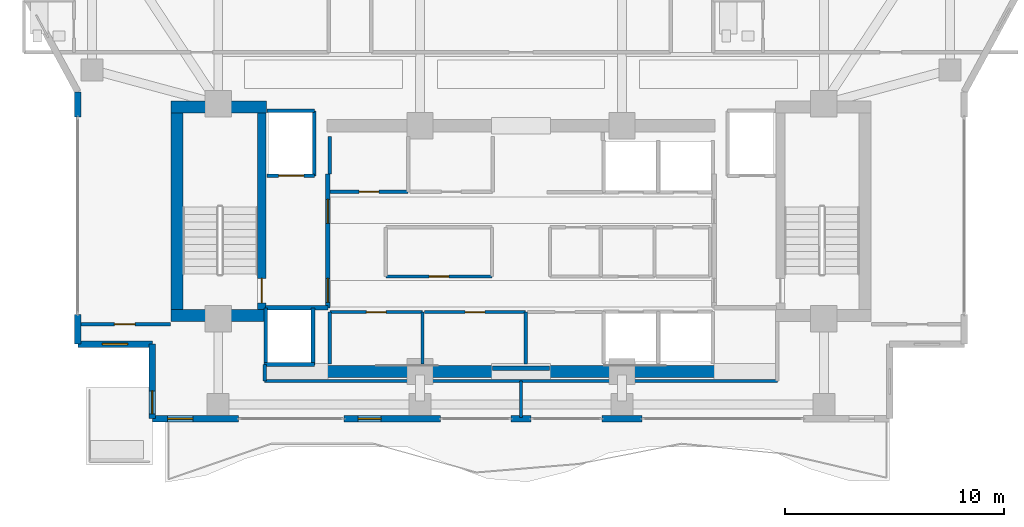
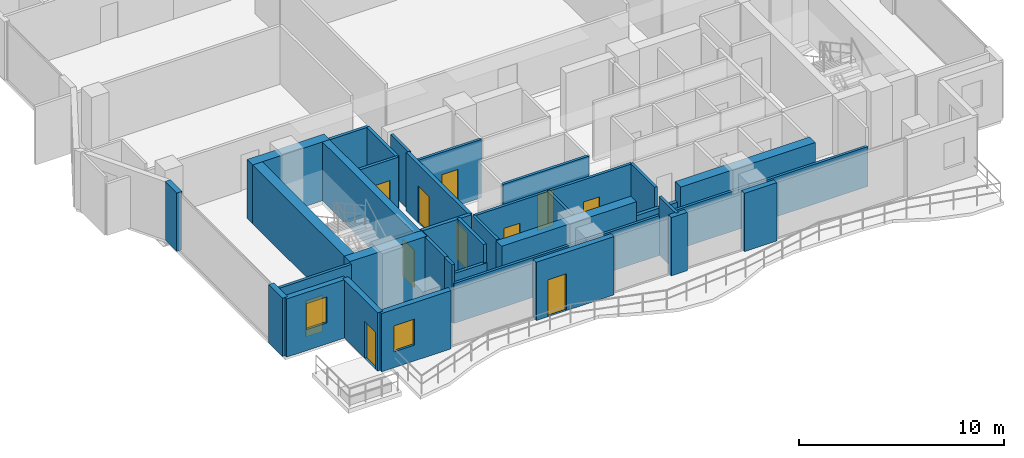
# One storey, part 20 of 28: 36 walls, 11 doors, 2 windows, 13 openings.
"""IFC4 building model written with IfcOpenShell, lengths in metres."""

import ifcopenshell
import ifcopenshell.guid

model = None  # the IFC model being written
_history = None  # IfcOwnerHistory: only IFC2X3 demands one
_inside = {}  # id of a spatial element -> (the spatial element, [elements in it])
_under = {}  # id of a project, library or spatial element -> (it, [spatial elements below it])
_declared = {}  # id of a project -> (the project, [libraries it declares])
_typed = {}  # id of a type object -> (the type object, [elements of that type])
_made_of = {}  # id of a material, layer set ... -> (it, [elements and type objects made of it])


def new_model(schema):
    """Start an empty IFC model of exactly this schema.

    Asked for "IFC4X3", IfcOpenShell would pick the latest addendum, in which some entities
    have other attributes; the version numbers below select the first issue.
    IFC2X3 requires an IfcOwnerHistory on every rooted entity: one is made here for all.
    """
    global model, _history
    if schema == "IFC4X3":
        model = ifcopenshell.file(schema_version=(4, 3, 0, 0))
    else:
        model = ifcopenshell.file(schema=schema)
    _inside.clear()
    _under.clear()
    _declared.clear()
    _typed.clear()
    _made_of.clear()
    _history = None
    if model.schema == "IFC2X3":
        org = make("IfcOrganization", Name="unknown")
        user = make(
            "IfcPersonAndOrganization",
            ThePerson=make("IfcPerson", FamilyName="unknown"),
            TheOrganization=org,
        )
        app = make(
            "IfcApplication",
            ApplicationDeveloper=org,
            Version="unknown",
            ApplicationFullName="unknown",
            ApplicationIdentifier="unknown",
        )
        _history = make(
            "IfcOwnerHistory",
            OwningUser=user,
            OwningApplication=app,
            ChangeAction="ADDED",
            CreationDate=0,
        )
    return model


def make(cls, **values):
    """One entity of the class cls with the attributes given. An attribute that is None is left unset."""
    return model.create_entity(
        cls, **{name: value for name, value in values.items() if value is not None}
    )


def rooted(cls, **values):
    """An entity with a GlobalId (a new one), such as an element, a storey or a relation."""
    return make(cls, GlobalId=ifcopenshell.guid.new(), OwnerHistory=_history, **values)


def si_unit(unit_type, name, prefix=None):
    """IfcSIUnit, for example si_unit("LENGTHUNIT", "METRE", prefix="MILLI")."""
    return make("IfcSIUnit", UnitType=unit_type, Prefix=prefix, Name=name)


def assignment(units):
    """IfcUnitAssignment: the units of a project."""
    return None if units is None else make("IfcUnitAssignment", Units=units)


def point(xyz):
    """IfcCartesianPoint."""
    return None if xyz is None else make("IfcCartesianPoint", Coordinates=xyz)


def direction(xyz):
    """IfcDirection."""
    return None if xyz is None else make("IfcDirection", DirectionRatios=xyz)


def frame(location, z_axis=None, x_axis=None):
    """IfcAxis2Placement3D, a coordinate frame: its origin and axes. An axis left out is left unset."""
    return make(
        "IfcAxis2Placement3D",
        Location=point(location),
        Axis=direction(z_axis),
        RefDirection=direction(x_axis),
    )


def frame_2d(location, x_axis=None):
    """IfcAxis2Placement2D, a coordinate frame in the plane: its origin and x axis."""
    return make(
        "IfcAxis2Placement2D", Location=point(location), RefDirection=direction(x_axis)
    )


def origin():
    """The frame at (0, 0, 0) with its axes left unset."""
    return frame((0.0, 0.0, 0.0))


def place(relative_to, where):
    """IfcLocalPlacement: puts the frame where relative to a parent placement (None: the world)."""
    return make(
        "IfcLocalPlacement", PlacementRelTo=relative_to, RelativePlacement=where
    )


def context(
    kind, dimensions, precision=None, world=None, true_north=None, identifier=None
):
    """IfcGeometricRepresentationContext, for example the 3D "Model" context."""
    return make(
        "IfcGeometricRepresentationContext",
        ContextIdentifier=identifier,
        ContextType=kind,
        CoordinateSpaceDimension=dimensions,
        Precision=precision,
        WorldCoordinateSystem=world,
        TrueNorth=true_north,
    )


def subcontext(parent, identifier, kind, view, scale=None):
    """IfcGeometricRepresentationSubContext, for example "Body" below "Model"."""
    return make(
        "IfcGeometricRepresentationSubContext",
        ContextIdentifier=identifier,
        ContextType=kind,
        ParentContext=parent,
        TargetScale=scale,
        TargetView=view,
    )


def project(units=None, contexts=None):
    """IfcProject with its units and contexts."""
    return rooted(
        "IfcProject",
        Name="project",
        RepresentationContexts=contexts,
        UnitsInContext=assignment(units),
    )


def spatial(cls, under=None, at=None, **own):
    """A site, building, storey or space (cls), placed at a placement, below another one or the project."""
    s = rooted(cls, ObjectPlacement=at, **own)
    if under is not None:
        _under.setdefault(under.id(), (under, []))[1].append(s)
    return s


def profile(cls, at=None, kind="AREA", **sizes):
    """A parametric profile (cls). Its sizes go by their IFC names, for example OverallWidth=200.0."""
    return make(cls, ProfileType=kind, Position=at, **sizes)


def rectangle(**sizes):
    """IfcRectangleProfileDef."""
    return profile("IfcRectangleProfileDef", **sizes)


def extrude(swept, where, along, depth):
    """IfcExtrudedAreaSolid: the profile swept, set in the frame where, extruded along a direction by depth."""
    return make(
        "IfcExtrudedAreaSolid",
        SweptArea=swept,
        Position=where,
        ExtrudedDirection=direction(along),
        Depth=depth,
    )


def shape(context_of_items, identifier, shape_type, items):
    """IfcShapeRepresentation: the items that make up one representation, for example the "Body"."""
    return make(
        "IfcShapeRepresentation",
        ContextOfItems=context_of_items,
        RepresentationIdentifier=identifier,
        RepresentationType=shape_type,
        Items=items,
    )


def material(Name=None, Category=None):
    """IfcMaterial."""
    return make("IfcMaterial", Name=Name, Category=Category)


def layer(
    of_material, thickness, ventilated=None, Name=None, Category=None, Priority=None
):
    """IfcMaterialLayer: one layer of a wall or slab, of a material (None: an air gap)."""
    return make(
        "IfcMaterialLayer",
        Material=of_material,
        LayerThickness=thickness,
        IsVentilated=ventilated,
        Name=Name,
        Category=Category,
        Priority=Priority,
    )


def layer_set(layers, Name=None):
    """IfcMaterialLayerSet."""
    return make("IfcMaterialLayerSet", MaterialLayers=layers, LayerSetName=Name)


def made_of(thing, what):
    """Note that an element or type object is made of a material, layer set ...; save() writes the relation."""
    if what is not None:
        _made_of.setdefault(what.id(), (what, []))[1].append(thing)
    return thing


def type_object(cls, material=None, **own):
    """A type object (cls), such as IfcWallType, which elements share."""
    return made_of(rooted(cls, **own), material)


def element(
    cls,
    number,
    at=None,
    inside=None,
    cuts=None,
    type_object=None,
    material=None,
    context=None,
    identifier="Body",
    shape_type=None,
    held_by="IfcProductDefinitionShape",
    body=None,
    shapes=None,
    **own,
):
    """One element of the class cls, such as IfcWall. Its Tag is "e" and its number.

    at: its placement. inside: the storey or other place that contains it. cuts: it is an
    opening in that element (IfcRelVoidsElement). A single representation is given by context,
    identifier, shape_type and body (its items); several are given by shapes. held_by: the class
    of the entity that holds the representations. save() writes the other relations.
    """
    e = rooted(cls, Tag="e%d" % number, ObjectPlacement=at, **own)
    if body is not None:
        shapes = [shape(context, identifier, shape_type, body)]
    if shapes is not None:
        e.Representation = make(held_by, Representations=shapes)
    if inside is not None:
        _inside.setdefault(inside.id(), (inside, []))[1].append(e)
    if cuts is not None:
        rooted(
            "IfcRelVoidsElement", RelatingBuildingElement=cuts, RelatedOpeningElement=e
        )
    if type_object is not None:
        _typed.setdefault(type_object.id(), (type_object, []))[1].append(e)
    return made_of(e, material)


def fill(opening, filler):
    """IfcRelFillsElement: the door or window that sits in an opening."""
    return rooted(
        "IfcRelFillsElement",
        RelatingOpeningElement=opening,
        RelatedBuildingElement=filler,
    )


def aggregate(whole, parts):
    """IfcRelAggregates: a whole, such as a stair, and the parts it consists of."""
    return rooted("IfcRelAggregates", RelatingObject=whole, RelatedObjects=parts)


def save(model, path):
    """Write the relations noted so far, then the file.

    IfcRelAggregates (storeys below a building ...), IfcRelContainedInSpatialStructure (elements
    in a storey), IfcRelDefinesByType, IfcRelAssociatesMaterial and IfcRelDeclares: one each for
    every whole, place, type object, material and project.
    """
    for whole, parts in _under.values():
        aggregate(whole, parts)
    for where, things in _inside.values():
        rooted(
            "IfcRelContainedInSpatialStructure",
            RelatedElements=things,
            RelatingStructure=where,
        )
    for kind, things in _typed.values():
        rooted("IfcRelDefinesByType", RelatedObjects=things, RelatingType=kind)
    for what, things in _made_of.values():
        rooted("IfcRelAssociatesMaterial", RelatedObjects=things, RelatingMaterial=what)
    for by, libraries in _declared.values():
        rooted("IfcRelDeclares", RelatingContext=by, RelatedDefinitions=libraries)
    model.write(path)


model = new_model("IFC4")

# Units and contexts
model_context = context("Model", 3, precision=1e-05, world=origin(), true_north=direction((0.0, 1.0)))
body_context = subcontext(model_context, "Body", "Model", "MODEL_VIEW")
ifc_project = project(units=[si_unit("LENGTHUNIT", "METRE"), si_unit("AREAUNIT", "SQUARE_METRE"), si_unit("VOLUMEUNIT", "CUBIC_METRE"), si_unit("PLANEANGLEUNIT", "RADIAN"), si_unit("MASSUNIT", "GRAM", prefix="KILO")], contexts=[model_context])

# Site, building, storey
site_placement = place(None, origin())
site = spatial("IfcSite", under=ifc_project, at=site_placement, CompositionType="ELEMENT")
building_placement = place(site_placement, origin())
building = spatial("IfcBuilding", under=site, at=building_placement, Name="Zuhayl Quay Hotel", CompositionType="ELEMENT")
storey_placement = place(building_placement, frame((0.0, 0.0, 239.64990234375)))
storey = spatial("IfcBuildingStorey", under=building, at=storey_placement, Name="L60", CompositionType="ELEMENT", Elevation=239.64990234375)

# Walls
ifc_material_1 = material(Name="Concrete C50/60", Category="concrete")
ifc_layer_1 = layer(ifc_material_1, 0.550048828125, Name="Concrete C50/60", Category="concrete")
ifc_layer_set_1 = layer_set([ifc_layer_1], Name="Concrete C50/60")
wall_type_1 = type_object("IfcWallType", Name="WL_CORE_550", PredefinedType="SHEAR", material=ifc_layer_set_1)
wall_1_placement = place(storey_placement, frame((-15.9599609375, 14.205078125, 0.0), z_axis=(0.0, 0.0, 1.0), x_axis=(1.0, 0.0, 0.0)))
element("IfcWall", 1, at=wall_1_placement, inside=storey, type_object=wall_type_1, Name="L60 Core Shear Wall CW_NW", PredefinedType="SHEAR", context=body_context, shape_type="SweptSolid", body=[
    extrude(rectangle(XDim=4.35986328125, YDim=0.550048828125, at=frame_2d((2.179931640625, 0.0))), origin(), (0.0, 0.0, 1.0), 3.510009765625),
])
wall_2_placement = place(storey_placement, frame((-15.68505859375, 4.969970703125, 0.0), z_axis=(0.0, 0.0, 1.0), x_axis=(0.0, 1.0, 0.0)))
element("IfcWall", 2, at=wall_2_placement, inside=storey, type_object=wall_type_1, Name="L60 Core Shear Wall CW_W", PredefinedType="SHEAR", context=body_context, shape_type="SweptSolid", body=[
    extrude(rectangle(XDim=8.9599609375, YDim=0.550048828125, at=frame_2d((4.47998046875, 0.0))), origin(), (0.0, 0.0, 1.0), 3.510009765625),
])
wall_3_placement = place(storey_placement, frame((-15.9599609375, 4.695068359375, 0.0), z_axis=(0.0, 0.0, 1.0), x_axis=(1.0, 0.0, 0.0)))
element("IfcWall", 3, at=wall_3_placement, inside=storey, type_object=wall_type_1, Name="L60 Core Shear Wall CW_SW", PredefinedType="SHEAR", context=body_context, shape_type="SweptSolid", body=[
    extrude(rectangle(XDim=4.35986328125, YDim=0.550048828125, at=frame_2d((2.179931640625, 0.0))), origin(), (0.0, 0.0, 1.0), 3.510009765625),
])
for number, where, z_axis, x_axis, name in (
    (4, (-8.85009765625, 2.14990234375, 0.0), (0.0, 0.0, 1.0), (1.0, 0.0, 0.0), "L60 Core Shear Wall CW_SC_W"),
    (5, (1.25, 2.14990234375, 0.0), (0.0, 0.0, 1.0), (1.0, 0.0, 0.0), "L60 Core Shear Wall CW_SC_E"),
):
    element("IfcWall", number, at=place(storey_placement, frame(where, z_axis=z_axis, x_axis=x_axis)), inside=storey, type_object=wall_type_1, Name=name, PredefinedType="SHEAR", context=body_context, shape_type="SweptSolid", body=[
        extrude(rectangle(XDim=7.60009765625, YDim=0.550048828125, at=frame_2d((3.800048828125, 0.0))), origin(), (0.0, 0.0, 1.0), 3.47998046875),
    ])

# Wall, opening, window
ifc_material_2 = material(Name="Precast concrete C45/55", Category="concrete")
ifc_layer_2 = layer(ifc_material_2, 0.300048828125, Name="Precast concrete C45/55", Category="concrete")
ifc_layer_set_2 = layer_set([ifc_layer_2], Name="Precast concrete C45/55")
wall_type_2 = type_object("IfcWallType", Name="WL_EXT_300", PredefinedType="STANDARD", material=ifc_layer_set_2)
wall_4_placement = place(storey_placement, frame((-16.800048828125, 3.39990234375, 0.0), z_axis=(0.0, 0.0, 1.0), x_axis=(-1.0, 0.0, 0.0)))
wall_4 = element("IfcWall", 6, at=wall_4_placement, inside=storey, type_object=wall_type_2, Name="L60 Exterior Precast Wall ENV_L60_EW01", PredefinedType="STANDARD", context=body_context, shape_type="SweptSolid", body=[
    extrude(rectangle(XDim=3.39990234375, YDim=0.300048828125, at=frame_2d((1.699951171875, 0.0))), origin(), (0.0, 0.0, 1.0), 3.47998046875),
])
opening_1_placement = place(wall_4_placement, frame((1.125, 0.0, 1.25)))
opening_1 = element("IfcOpeningElement", 7, at=opening_1_placement, cuts=wall_4, Name="Opening W01N", PredefinedType="OPENING", context=body_context, shape_type="SweptSolid", body=[
    extrude(rectangle(XDim=1.14990234375, YDim=1.550048828125, at=frame_2d((0.574951171875, 0.77490234375))), frame((0.0, 0.159912109375, 0.0), z_axis=(0.0, -1.0, 0.0), x_axis=(1.0, 0.0, 0.0)), (0.0, 0.0, 1.0), 0.320068359375),
])
ifc_material_3 = material(Name="Dark Ceramic-Fritted Solar Glass", Category="glass")
window_type = type_object("IfcWindowType", Name="WN_NOTCH_1350", PartitioningType="SINGLE_PANEL", PredefinedType="WINDOW", material=ifc_material_3)
window_1_placement = place(opening_1_placement, origin())
window_1 = element("IfcWindow", 8, at=window_1_placement, inside=storey, type_object=window_type, Name="L60 Corner Notch Window 1", OverallHeight=1.550048828125, OverallWidth=1.14990234375, PartitioningType="SINGLE_PANEL", PredefinedType="WINDOW", context=body_context, shape_type="SweptSolid", body=[
    extrude(rectangle(XDim=1.14990234375, YDim=1.550048828125, at=frame_2d((0.574951171875, 0.77490234375))), frame((0.0, 0.030029296875, 0.0), z_axis=(0.0, -1.0, 0.0), x_axis=(1.0, 0.0, 0.0)), (0.0, 0.0, 1.0), 0.06005859375),
])
fill(opening_1, window_1)

# Walls
wall_5_placement = place(storey_placement, frame((-20.199951171875, 3.39990234375, 0.0), z_axis=(0.0, 0.0, 1.0), x_axis=(0.0, 1.0, 0.0)))
element("IfcWall", 9, at=wall_5_placement, inside=storey, type_object=wall_type_2, Name="L60 Exterior Precast Wall ENV_L60_E02_EW1", PredefinedType="STANDARD", context=body_context, shape_type="SweptSolid", body=[
    extrude(rectangle(XDim=1.35009765625, YDim=0.300048828125, at=frame_2d((0.675048828125, 0.0))), origin(), (0.0, 0.0, 1.0), 3.47998046875),
])
wall_6_placement = place(storey_placement, frame((-20.199951171875, 13.75, 0.0), z_axis=(0.0, 0.0, 1.0), x_axis=(0.0, 1.0, 0.0)))
element("IfcWall", 10, at=wall_6_placement, inside=storey, type_object=wall_type_2, Name="L60 Exterior Precast Wall ENV_L60_E02_EW2", PredefinedType="STANDARD", context=body_context, shape_type="SweptSolid", body=[
    extrude(rectangle(XDim=1.14990234375, YDim=0.300048828125, at=frame_2d((0.574951171875, 0.0))), origin(), (0.0, 0.0, 1.0), 3.47998046875),
])
wall_7_placement = place(storey_placement, frame((5.52001953125, 0.0, 0.0), z_axis=(0.0, 0.0, 1.0), x_axis=(-1.0, 0.0, 0.0)))
element("IfcWall", 11, at=wall_7_placement, inside=storey, type_object=wall_type_2, Name="L60 Exterior Precast Wall ENV_L60_S_EW2", PredefinedType="STANDARD", context=body_context, shape_type="SweptSolid", body=[
    extrude(rectangle(XDim=1.840087890625, YDim=0.300048828125, at=frame_2d((0.919921875, 0.0))), origin(), (0.0, 0.0, 1.0), 3.47998046875),
])
wall_8_placement = place(storey_placement, frame((0.449951171875, 0.0, 0.0), z_axis=(0.0, 0.0, 1.0), x_axis=(-1.0, 0.0, 0.0)))
element("IfcWall", 12, at=wall_8_placement, inside=storey, type_object=wall_type_2, Name="L60 Exterior Precast Wall ENV_L60_S_EW3", PredefinedType="STANDARD", context=body_context, shape_type="SweptSolid", body=[
    extrude(rectangle(XDim=0.89990234375, YDim=0.300048828125, at=frame_2d((0.449951171875, 0.0))), origin(), (0.0, 0.0, 1.0), 3.47998046875),
])

# Wall, opening, door
wall_9_placement = place(storey_placement, frame((-3.679931640625, 0.0, 0.0), z_axis=(0.0, 0.0, 1.0), x_axis=(-1.0, 0.0, 0.0)))
wall_9 = element("IfcWall", 13, at=wall_9_placement, inside=storey, type_object=wall_type_2, Name="L60 Exterior Precast Wall ENV_L60_S_EW4", PredefinedType="STANDARD", context=body_context, shape_type="SweptSolid", body=[
    extrude(rectangle(XDim=4.39501953125, YDim=0.300048828125, at=frame_2d((2.197509765625, 0.0))), origin(), (0.0, 0.0, 1.0), 3.47998046875),
])
opening_2_placement = place(wall_9_placement, frame((2.695068359375, 0.0, 0.0)))
opening_2 = element("IfcOpeningElement", 14, at=opening_2_placement, cuts=wall_9, Name="Opening DG1", PredefinedType="OPENING", context=body_context, shape_type="SweptSolid", body=[
    extrude(rectangle(XDim=1.050048828125, YDim=2.199951171875, at=frame_2d((0.52490234375, 1.10009765625))), frame((0.0, 0.159912109375, 0.0), z_axis=(0.0, -1.0, 0.0), x_axis=(1.0, 0.0, 0.0)), (0.0, 0.0, 1.0), 0.320068359375),
])
ifc_material_4 = material(Name="Anodised Aluminium and Dark Solar Glass", Category="aluminium")
door_type_1 = type_object("IfcDoorType", Name="DR_EXT_TERR_1050", OperationType="NOTDEFINED", PredefinedType="DOOR", material=ifc_material_4)
door_1_placement = place(opening_2_placement, origin())
door_1 = element("IfcDoor", 15, at=door_1_placement, inside=storey, type_object=door_type_1, Name="L60 South Rippling Balcony Door", OperationType="SINGLE_SWING_RIGHT", OverallHeight=2.199951171875, OverallWidth=1.050048828125, PredefinedType="DOOR", context=body_context, shape_type="SweptSolid", body=[
    extrude(rectangle(XDim=1.050048828125, YDim=2.199951171875, at=frame_2d((0.52490234375, 1.10009765625))), frame((0.0, 0.02490234375, 0.0), z_axis=(0.0, -1.0, 0.0), x_axis=(1.0, 0.0, 0.0)), (0.0, 0.0, 1.0), 0.050048828125),
])
fill(opening_2, door_1)

# Wall, opening, window
wall_10_placement = place(storey_placement, frame((-12.8798828125, 0.0, 0.0), z_axis=(0.0, 0.0, 1.0), x_axis=(-1.0, 0.0, 0.0)))
wall_10 = element("IfcWall", 16, at=wall_10_placement, inside=storey, type_object=wall_type_2, Name="L60 Exterior Precast Wall ENV_L60_S_EW5", PredefinedType="STANDARD", context=body_context, shape_type="SweptSolid", body=[
    extrude(rectangle(XDim=3.920166015625, YDim=0.300048828125, at=frame_2d((1.9599609375, 0.0))), origin(), (0.0, 0.0, 1.0), 3.47998046875),
])
opening_3_placement = place(wall_10_placement, frame((2.074951171875, 0.0, 0.949951171875)))
opening_3 = element("IfcOpeningElement", 17, at=opening_3_placement, cuts=wall_10, Name="Opening W01N", PredefinedType="OPENING", context=body_context, shape_type="SweptSolid", body=[
    extrude(rectangle(XDim=1.14990234375, YDim=1.550048828125, at=frame_2d((0.574951171875, 0.77490234375))), frame((0.0, 0.159912109375, 0.0), z_axis=(0.0, -1.0, 0.0), x_axis=(1.0, 0.0, 0.0)), (0.0, 0.0, 1.0), 0.320068359375),
])
window_2_placement = place(opening_3_placement, origin())
window_2 = element("IfcWindow", 18, at=window_2_placement, inside=storey, type_object=window_type, Name="L60 Operable Facade Window 5-1", OverallHeight=1.550048828125, OverallWidth=1.14990234375, PartitioningType="SINGLE_PANEL", PredefinedType="WINDOW", context=body_context, shape_type="SweptSolid", body=[
    extrude(rectangle(XDim=1.14990234375, YDim=1.550048828125, at=frame_2d((0.574951171875, 0.77490234375))), frame((0.0, 0.030029296875, 0.0), z_axis=(0.0, -1.0, 0.0), x_axis=(1.0, 0.0, 0.0)), (0.0, 0.0, 1.0), 0.06005859375),
])
fill(opening_3, window_2)

# Wall, opening, door
wall_11_placement = place(storey_placement, frame((-16.800048828125, 0.0, 0.0), z_axis=(0.0, 0.0, 1.0), x_axis=(0.0, 1.0, 0.0)))
wall_11 = element("IfcWall", 19, at=wall_11_placement, inside=storey, type_object=wall_type_2, Name="L60 Exterior Precast Wall ENV_L60_SP_SW", PredefinedType="STANDARD", context=body_context, shape_type="SweptSolid", body=[
    extrude(rectangle(XDim=3.39990234375, YDim=0.300048828125, at=frame_2d((1.699951171875, 0.0))), origin(), (0.0, 0.0, 1.0), 3.47998046875),
])
opening_4_placement = place(wall_11_placement, frame((0.219970703125, 0.0, 0.0)))
opening_4 = element("IfcOpeningElement", 20, at=opening_4_placement, cuts=wall_11, Name="Opening DG1", PredefinedType="OPENING", context=body_context, shape_type="SweptSolid", body=[
    extrude(rectangle(XDim=1.050048828125, YDim=2.199951171875, at=frame_2d((0.52490234375, 1.10009765625))), frame((0.0, 0.159912109375, 0.0), z_axis=(0.0, -1.0, 0.0), x_axis=(1.0, 0.0, 0.0)), (0.0, 0.0, 1.0), 0.320068359375),
])
door_2_placement = place(opening_4_placement, origin())
door_2 = element("IfcDoor", 21, at=door_2_placement, inside=storey, type_object=door_type_1, Name="L60 Spiral Sky-Terrace SW Access Door", OperationType="SINGLE_SWING_LEFT", OverallHeight=2.199951171875, OverallWidth=1.050048828125, PredefinedType="DOOR", context=body_context, shape_type="SweptSolid", body=[
    extrude(rectangle(XDim=1.050048828125, YDim=2.199951171875, at=frame_2d((0.52490234375, 1.10009765625))), frame((0.0, 0.02490234375, 0.0), z_axis=(0.0, -1.0, 0.0), x_axis=(1.0, 0.0, 0.0)), (0.0, 0.0, 1.0), 0.050048828125),
])
fill(opening_4, door_2)

ifc_material_5 = material(Name="Acoustic Gypsum Partition STC-58")
ifc_layer_3 = layer(ifc_material_5, 0.14990234375, Name="Acoustic Gypsum Partition STC-58")
ifc_layer_set_3 = layer_set([ifc_layer_3], Name="Acoustic Gypsum Partition STC-58")
wall_type_3 = type_object("IfcWallType", Name="WL_PART_150", PredefinedType="PARTITIONING", material=ifc_layer_set_3)
wall_12_placement = place(storey_placement, frame((-8.7099609375, 4.860107421875, 0.0), z_axis=(0.0, 0.0, 1.0), x_axis=(1.0, 0.0, 0.0)))
wall_12 = element("IfcWall", 22, at=wall_12_placement, inside=storey, type_object=wall_type_3, Name="L60 Partition IW_L60_FMP_S1_N", PredefinedType="PARTITIONING", context=body_context, shape_type="SweptSolid", body=[
    extrude(rectangle(XDim=4.219970703125, YDim=0.14990234375, at=frame_2d((2.10986328125, 0.0))), origin(), (0.0, 0.0, 1.0), 3.47998046875),
])
opening_5_placement = place(wall_12_placement, frame((1.659912109375, 0.0, 0.0)))
opening_5 = element("IfcOpeningElement", 23, at=opening_5_placement, cuts=wall_12, Name="Opening D06", PredefinedType="OPENING", context=body_context, shape_type="SweptSolid", body=[
    extrude(rectangle(XDim=0.89990234375, YDim=2.14990234375, at=frame_2d((0.449951171875, 1.074951171875))), frame((0.0, 0.0849609375, 0.0), z_axis=(0.0, -1.0, 0.0), x_axis=(1.0, 0.0, 0.0)), (0.0, 0.0, 1.0), 0.169921875),
])
ifc_material_6 = material(Name="Steel ASTM A992 Grade 50", Category="steel")
door_type_2 = type_object("IfcDoorType", Name="DR_INT_900", OperationType="NOTDEFINED", PredefinedType="DOOR", material=ifc_material_6)
door_3_placement = place(opening_5_placement, origin())
door_3 = element("IfcDoor", 24, at=door_3_placement, inside=storey, type_object=door_type_2, Name="L60 Silverware Pantry Door", OperationType="SINGLE_SWING_RIGHT", OverallHeight=2.14990234375, OverallWidth=0.89990234375, PredefinedType="DOOR", context=body_context, shape_type="SweptSolid", body=[
    extrude(rectangle(XDim=0.89990234375, YDim=2.14990234375, at=frame_2d((0.449951171875, 1.074951171875))), frame((0.0, 0.02490234375, 0.0), z_axis=(0.0, -1.0, 0.0), x_axis=(1.0, 0.0, 0.0)), (0.0, 0.0, 1.0), 0.050048828125),
])
fill(opening_5, door_3)

wall_13_placement = place(storey_placement, frame((-4.409912109375, 4.860107421875, 0.0), z_axis=(0.0, 0.0, 1.0), x_axis=(1.0, 0.0, 0.0)))
wall_13 = element("IfcWall", 25, at=wall_13_placement, inside=storey, type_object=wall_type_3, Name="L60 Partition IW_L60_FMP_S2_N", PredefinedType="PARTITIONING", context=body_context, shape_type="SweptSolid", body=[
    extrude(rectangle(XDim=4.619873046875, YDim=0.14990234375, at=frame_2d((2.31005859375, 0.0))), origin(), (0.0, 0.0, 1.0), 3.47998046875),
])
opening_6_placement = place(wall_13_placement, frame((1.860107421875, 0.0, 0.0)))
opening_6 = element("IfcOpeningElement", 26, at=opening_6_placement, cuts=wall_13, Name="Opening D06", PredefinedType="OPENING", context=body_context, shape_type="SweptSolid", body=[
    extrude(rectangle(XDim=0.89990234375, YDim=2.14990234375, at=frame_2d((0.449951171875, 1.074951171875))), frame((0.0, 0.0849609375, 0.0), z_axis=(0.0, -1.0, 0.0), x_axis=(1.0, 0.0, 0.0)), (0.0, 0.0, 1.0), 0.169921875),
])
door_4_placement = place(opening_6_placement, origin())
door_4 = element("IfcDoor", 27, at=door_4_placement, inside=storey, type_object=door_type_2, Name="L60 Crystal Store Door", OperationType="SINGLE_SWING_LEFT", OverallHeight=2.14990234375, OverallWidth=0.89990234375, PredefinedType="DOOR", context=body_context, shape_type="SweptSolid", body=[
    extrude(rectangle(XDim=0.89990234375, YDim=2.14990234375, at=frame_2d((0.449951171875, 1.074951171875))), frame((0.0, 0.02490234375, 0.0), z_axis=(0.0, -1.0, 0.0), x_axis=(1.0, 0.0, 0.0)), (0.0, 0.0, 1.0), 0.050048828125),
])
fill(opening_6, door_4)

wall_14_placement = place(storey_placement, frame((-8.7099609375, 10.340087890625, 0.0), z_axis=(0.0, 0.0, 1.0), x_axis=(1.0, 0.0, 0.0)))
wall_14 = element("IfcWall", 28, at=wall_14_placement, inside=storey, type_object=wall_type_3, Name="L60 Partition IW_L60_FMP_N1_S", PredefinedType="PARTITIONING", context=body_context, shape_type="SweptSolid", body=[
    extrude(rectangle(XDim=3.570068359375, YDim=0.14990234375, at=frame_2d((1.78515625, 0.0))), origin(), (0.0, 0.0, 1.0), 3.47998046875),
])
opening_7_placement = place(wall_14_placement, frame((1.3349609375, 0.0, 0.0)))
opening_7 = element("IfcOpeningElement", 29, at=opening_7_placement, cuts=wall_14, Name="Opening D06", PredefinedType="OPENING", context=body_context, shape_type="SweptSolid", body=[
    extrude(rectangle(XDim=0.89990234375, YDim=2.14990234375, at=frame_2d((0.449951171875, 1.074951171875))), frame((0.0, 0.0849609375, 0.0), z_axis=(0.0, -1.0, 0.0), x_axis=(1.0, 0.0, 0.0)), (0.0, 0.0, 1.0), 0.169921875),
])
door_5_placement = place(opening_7_placement, origin())
door_5 = element("IfcDoor", 30, at=door_5_placement, inside=storey, type_object=door_type_2, Name="L60 West Valet Bay Door", OperationType="SINGLE_SWING_LEFT", OverallHeight=2.14990234375, OverallWidth=0.89990234375, PredefinedType="DOOR", context=body_context, shape_type="SweptSolid", body=[
    extrude(rectangle(XDim=0.89990234375, YDim=2.14990234375, at=frame_2d((0.449951171875, 1.074951171875))), frame((0.0, 0.02490234375, 0.0), z_axis=(0.0, -1.0, 0.0), x_axis=(1.0, 0.0, 0.0)), (0.0, 0.0, 1.0), 0.050048828125),
])
fill(opening_7, door_5)

wall_15_placement = place(storey_placement, frame((-6.159912109375, 6.47998046875, 0.0), z_axis=(0.0, 0.0, 1.0), x_axis=(1.0, 0.0, 0.0)))
wall_15 = element("IfcWall", 31, at=wall_15_placement, inside=storey, type_object=wall_type_3, Name="L60 Partition IW_L60_CORE_SV_S", PredefinedType="PARTITIONING", context=body_context, shape_type="SweptSolid", body=[
    extrude(rectangle(XDim=4.83984375, YDim=0.14990234375, at=frame_2d((2.419921875, 0.0))), origin(), (0.0, 0.0, 1.0), 3.47998046875),
])
opening_8_placement = place(wall_15_placement, frame((1.969970703125, 0.0, 0.0)))
opening_8 = element("IfcOpeningElement", 32, at=opening_8_placement, cuts=wall_15, Name="Opening D06", PredefinedType="OPENING", context=body_context, shape_type="SweptSolid", body=[
    extrude(rectangle(XDim=0.89990234375, YDim=2.14990234375, at=frame_2d((0.449951171875, 1.074951171875))), frame((0.0, 0.0849609375, 0.0), z_axis=(0.0, -1.0, 0.0), x_axis=(1.0, 0.0, 0.0)), (0.0, 0.0, 1.0), 0.169921875),
])
door_6_placement = place(opening_8_placement, origin())
door_6 = element("IfcDoor", 33, at=door_6_placement, inside=storey, type_object=door_type_2, Name="L60 Core Ice and Linen Store Door", OperationType="SINGLE_SWING_LEFT", OverallHeight=2.14990234375, OverallWidth=0.89990234375, PredefinedType="DOOR", context=body_context, shape_type="SweptSolid", body=[
    extrude(rectangle(XDim=0.89990234375, YDim=2.14990234375, at=frame_2d((0.449951171875, 1.074951171875))), frame((0.0, 0.02490234375, 0.0), z_axis=(0.0, -1.0, 0.0), x_axis=(1.0, 0.0, 0.0)), (0.0, 0.0, 1.0), 0.050048828125),
])
fill(opening_8, door_6)

# Walls
for number, where, z_axis, x_axis, name in (
    (34, (-8.7099609375, 2.489990234375, 0.0), (0.0, 0.0, 1.0), (0.0, 1.0, 0.0), "L60 Partition IW_L60_FMP_S1_W"),
    (35, (-4.489990234375, 2.489990234375, 0.0), (0.0, 0.0, 1.0), (0.0, 1.0, 0.0), "L60 Partition IW_L60_FMP_S1_E"),
    (36, (0.2099609375, 2.489990234375, 0.0), (0.0, 0.0, 1.0), (0.0, 1.0, 0.0), "L60 Partition IW_L60_FMP_S2_E"),
):
    element("IfcWall", number, at=place(storey_placement, frame(where, z_axis=z_axis, x_axis=x_axis)), inside=storey, type_object=wall_type_3, Name=name, PredefinedType="PARTITIONING", context=body_context, shape_type="SweptSolid", body=[
        extrude(rectangle(XDim=2.3701171875, YDim=0.14990234375, at=frame_2d((1.18505859375, 0.0))), origin(), (0.0, 0.0, 1.0), 3.47998046875),
    ])
wall_16_placement = place(storey_placement, frame((-8.7099609375, 11.14990234375, 0.0), z_axis=(0.0, 0.0, 1.0), x_axis=(0.0, 1.0, 0.0)))
element("IfcWall", 37, at=wall_16_placement, inside=storey, type_object=wall_type_3, Name="L60 Partition IW_L60_FMP_N1_W", PredefinedType="PARTITIONING", context=body_context, shape_type="SweptSolid", body=[
    extrude(rectangle(XDim=1.710205078125, YDim=0.14990234375, at=frame_2d((0.85498046875, 0.0))), origin(), (0.0, 0.0, 1.0), 3.47998046875),
])
wall_17_placement = place(storey_placement, frame((-11.679931640625, 1.719970703125, 0.0), z_axis=(0.0, 0.0, 1.0), x_axis=(0.0, 1.0, 0.0)))
element("IfcWall", 38, at=wall_17_placement, inside=storey, type_object=wall_type_3, Name="L60 Partition IW_L60_Z4_SUN_SW_IN", PredefinedType="PARTITIONING", context=body_context, shape_type="SweptSolid", body=[
    extrude(rectangle(XDim=0.75, YDim=0.14990234375, at=frame_2d((0.375, 0.0))), origin(), (0.0, 0.0, 1.0), 3.47998046875),
])
for number, where, z_axis, x_axis, name in (
    (39, (-11.679931640625, 1.719970703125, 0.0), (0.0, 0.0, 1.0), (1.0, 0.0, 0.0), "L60 Partition IW_L60_Z4_SUN_SW_SN"),
    (40, (0.0, 1.719970703125, 0.0), (0.0, 0.0, 1.0), (1.0, 0.0, 0.0), "L60 Partition IW_L60_Z4_SUN_SE_SN"),
):
    element("IfcWall", number, at=place(storey_placement, frame(where, z_axis=z_axis, x_axis=x_axis)), inside=storey, type_object=wall_type_3, Name=name, PredefinedType="PARTITIONING", context=body_context, shape_type="SweptSolid", body=[
        extrude(rectangle(XDim=11.679931640625, YDim=0.14990234375, at=frame_2d((5.83984375, 0.0))), origin(), (0.0, 0.0, 1.0), 2.380126953125),
    ])
wall_18_placement = place(storey_placement, frame((0.0, 0.06005859375, 0.0), z_axis=(0.0, 0.0, 1.0), x_axis=(0.0, 1.0, 0.0)))
element("IfcWall", 41, at=wall_18_placement, inside=storey, type_object=wall_type_3, Name="L60 Partition IW_L60_Z4_SUN_MID", PredefinedType="PARTITIONING", context=body_context, shape_type="SweptSolid", body=[
    extrude(rectangle(XDim=1.659912109375, YDim=0.14990234375, at=frame_2d((0.830078125, 0.0))), origin(), (0.0, 0.0, 1.0), 3.47998046875),
])

# Wall, opening, door
ifc_layer_4 = layer(ifc_material_5, 0.159912109375, Name="Acoustic Gypsum Partition STC-58")
ifc_layer_set_4 = layer_set([ifc_layer_4], Name="Acoustic Gypsum Partition STC-58")
wall_type_4 = type_object("IfcWallType", Name="WL_PART_CORR_160", PredefinedType="PARTITIONING", material=ifc_layer_set_4)
wall_19_placement = place(storey_placement, frame((-20.139892578125, 4.300048828125, 0.0), z_axis=(0.0, 0.0, 1.0), x_axis=(1.0, 0.0, 0.0)))
wall_19 = element("IfcWall", 42, at=wall_19_placement, inside=storey, type_object=wall_type_4, Name="L60 Partition IW_L60_Z4_SUN_SW_N", PredefinedType="PARTITIONING", context=body_context, shape_type="SweptSolid", body=[
    extrude(rectangle(XDim=4.159912109375, YDim=0.159912109375, at=frame_2d((2.080078125, 0.0))), origin(), (0.0, 0.0, 1.0), 3.47998046875),
])
opening_9_placement = place(wall_19_placement, frame((1.60498046875, 0.0, 0.0)))
opening_9 = element("IfcOpeningElement", 43, at=opening_9_placement, cuts=wall_19, Name="Opening D03", PredefinedType="OPENING", context=body_context, shape_type="SweptSolid", body=[
    extrude(rectangle(XDim=0.949951171875, YDim=2.14990234375, at=frame_2d((0.47509765625, 1.074951171875))), frame((0.0, 0.08984375, 0.0), z_axis=(0.0, -1.0, 0.0), x_axis=(1.0, 0.0, 0.0)), (0.0, 0.0, 1.0), 0.179931640625),
])
ifc_material_7 = material(Name="Solid Walnut Acoustic Fire Door")
door_type_3 = type_object("IfcDoorType", Name="DR_SUITE_950", OperationType="NOTDEFINED", PredefinedType="DOOR", material=ifc_material_7)
door_7_placement = place(opening_9_placement, origin())
door_7 = element("IfcDoor", 44, at=door_7_placement, inside=storey, type_object=door_type_3, Name="L60 Sunset Salon SW Door", OperationType="SINGLE_SWING_LEFT", OverallHeight=2.14990234375, OverallWidth=0.949951171875, PredefinedType="DOOR", context=body_context, shape_type="SweptSolid", body=[
    extrude(rectangle(XDim=0.949951171875, YDim=2.14990234375, at=frame_2d((0.47509765625, 1.074951171875))), frame((0.0, 0.02490234375, 0.0), z_axis=(0.0, -1.0, 0.0), x_axis=(1.0, 0.0, 0.0)), (0.0, 0.0, 1.0), 0.050048828125),
])
fill(opening_9, door_7)

ifc_material_8 = material(Name="Gypsum Fireboard Assembly EI-90")
ifc_layer_5 = layer(ifc_material_8, 0.1650390625, Name="Gypsum Fireboard Assembly EI-90")
ifc_layer_set_5 = layer_set([ifc_layer_5], Name="Gypsum Fireboard Assembly EI-90")
wall_type_5 = type_object("IfcWallType", Name="WL_PART_SHAFT_160", PredefinedType="PARTITIONING", material=ifc_layer_set_5)
wall_20_placement = place(storey_placement, frame((-11.580078125, 11.070068359375, 0.0), z_axis=(0.0, 0.0, 1.0), x_axis=(1.0, 0.0, 0.0)))
wall_20 = element("IfcWall", 45, at=wall_20_placement, inside=storey, type_object=wall_type_5, Name="L60 Partition IW_L60_SH_FL1_F", PredefinedType="PARTITIONING", context=body_context, shape_type="SweptSolid", body=[
    extrude(rectangle(XDim=2.16015625, YDim=0.1650390625, at=frame_2d((1.080078125, 0.0))), origin(), (0.0, 0.0, 1.0), 3.47998046875),
])
opening_10_placement = place(wall_20_placement, frame((0.530029296875, 0.0, 0.0)))
opening_10 = element("IfcOpeningElement", 46, at=opening_10_placement, cuts=wall_20, Name="Opening LD2", PredefinedType="OPENING", context=body_context, shape_type="SweptSolid", body=[
    extrude(rectangle(XDim=1.14990234375, YDim=2.25, at=frame_2d((0.574951171875, 1.125))), frame((0.0, 0.092529296875, 0.0), z_axis=(0.0, -1.0, 0.0), x_axis=(1.0, 0.0, 0.0)), (0.0, 0.0, 1.0), 0.18505859375),
])
ifc_material_9 = material(Name="Brushed Stainless Steel", Category="steel")
door_type_4 = type_object("IfcDoorType", Name="DR_LIFT_FF_1100", OperationType="SLIDING_TO_LEFT", PredefinedType="DOOR", material=ifc_material_9)
door_8_placement = place(opening_10_placement, origin())
door_8 = element("IfcDoor", 47, at=door_8_placement, inside=storey, type_object=door_type_4, Name="L60 Lift FL1 Sliding Landing Door", OperationType="SLIDING_TO_LEFT", OverallHeight=2.25, OverallWidth=1.14990234375, PredefinedType="DOOR", context=body_context, shape_type="SweptSolid", body=[
    extrude(rectangle(XDim=1.14990234375, YDim=2.25, at=frame_2d((0.574951171875, 1.125))), frame((0.0, 0.02490234375, 0.0), z_axis=(0.0, -1.0, 0.0), x_axis=(1.0, 0.0, 0.0)), (0.0, 0.0, 1.0), 0.050048828125),
])
fill(opening_10, door_8)

# Walls
wall_21_placement = place(storey_placement, frame((-9.419921875, 11.070068359375, 0.0), z_axis=(0.0, 0.0, 1.0), x_axis=(0.0, 1.0, 0.0)))
element("IfcWall", 48, at=wall_21_placement, inside=storey, type_object=wall_type_5, Name="L60 Partition IW_L60_SH_FL1_E", PredefinedType="PARTITIONING", context=body_context, shape_type="SweptSolid", body=[
    extrude(rectangle(XDim=2.9599609375, YDim=0.1650390625, at=frame_2d((1.47998046875, 0.0))), origin(), (0.0, 0.0, 1.0), 3.47998046875),
])
wall_22_placement = place(storey_placement, frame((-11.580078125, 14.030029296875, 0.0), z_axis=(0.0, 0.0, 1.0), x_axis=(1.0, 0.0, 0.0)))
element("IfcWall", 49, at=wall_22_placement, inside=storey, type_object=wall_type_5, Name="L60 Partition IW_L60_SH_FL1_B", PredefinedType="PARTITIONING", context=body_context, shape_type="SweptSolid", body=[
    extrude(rectangle(XDim=2.16015625, YDim=0.1650390625, at=frame_2d((1.080078125, 0.0))), origin(), (0.0, 0.0, 1.0), 3.47998046875),
])
wall_23_placement = place(storey_placement, frame((-11.6298828125, 2.469970703125, 0.0), z_axis=(0.0, 0.0, 1.0), x_axis=(0.0, 1.0, 0.0)))
element("IfcWall", 50, at=wall_23_placement, inside=storey, type_object=wall_type_5, Name="L60 Partition IW_L60_RISER_W", PredefinedType="PARTITIONING", context=body_context, shape_type="SweptSolid", body=[
    extrude(rectangle(XDim=2.580078125, YDim=0.1650390625, at=frame_2d((1.2900390625, 0.0))), origin(), (0.0, 0.0, 1.0), 3.47998046875),
])
wall_24_placement = place(storey_placement, frame((-11.7099609375, 2.469970703125, 0.0), z_axis=(0.0, 0.0, 1.0), x_axis=(1.0, 0.0, 0.0)))
element("IfcWall", 51, at=wall_24_placement, inside=storey, type_object=wall_type_5, Name="L60 Partition IW_L60_RISER_S", PredefinedType="PARTITIONING", context=body_context, shape_type="SweptSolid", body=[
    extrude(rectangle(XDim=2.31005859375, YDim=0.1650390625, at=frame_2d((1.155029296875, 0.0))), origin(), (0.0, 0.0, 1.0), 2.380126953125),
])
ifc_layer_6 = layer(ifc_material_8, 0.179931640625, Name="Gypsum Fireboard Assembly EI-90")
ifc_layer_set_6 = layer_set([ifc_layer_6], Name="Gypsum Fireboard Assembly EI-90")
wall_type_6 = type_object("IfcWallType", Name="WL_PART_SHAFT_180", PredefinedType="PARTITIONING", material=ifc_layer_set_6)
wall_25_placement = place(storey_placement, frame((-9.469970703125, 2.449951171875, 0.0), z_axis=(0.0, 0.0, 1.0), x_axis=(0.0, 1.0, 0.0)))
element("IfcWall", 52, at=wall_25_placement, inside=storey, type_object=wall_type_6, Name="L60 Partition IW_L60_RISER_E", PredefinedType="PARTITIONING", context=body_context, shape_type="SweptSolid", body=[
    extrude(rectangle(XDim=2.60009765625, YDim=0.179931640625, at=frame_2d((1.300048828125, 0.0))), origin(), (0.0, 0.0, 1.0), 3.47998046875),
])

# Wall, openings, doors
ifc_material_10 = material(Name="Gypsum Fireboard Assembly EI-120")
ifc_layer_7 = layer(ifc_material_10, 0.199951171875, Name="Gypsum Fireboard Assembly EI-120")
ifc_layer_set_7 = layer_set([ifc_layer_7], Name="Gypsum Fireboard Assembly EI-120")
wall_type_7 = type_object("IfcWallType", Name="WL_PART_SHAFT_200", PredefinedType="PARTITIONING", material=ifc_layer_set_7)
wall_26_placement = place(storey_placement, frame((-8.800048828125, 5.050048828125, 0.0), z_axis=(0.0, 0.0, 1.0), x_axis=(0.0, 1.0, 0.0)))
wall_26 = element("IfcWall", 53, at=wall_26_placement, inside=storey, type_object=wall_type_7, Name="L60 Partition IW_L60_FSAE_W_E", PredefinedType="PARTITIONING", context=body_context, shape_type="SweptSolid", body=[
    extrude(rectangle(XDim=6.099853515625, YDim=0.199951171875, at=frame_2d((3.0498046875, 0.0))), origin(), (0.0, 0.0, 1.0), 3.47998046875),
])
opening_11_placement = place(wall_26_placement, frame((0.25, 0.0, 0.0)))
opening_11 = element("IfcOpeningElement", 54, at=opening_11_placement, cuts=wall_26, Name="Opening D02", PredefinedType="OPENING", context=body_context, shape_type="SweptSolid", body=[
    extrude(rectangle(XDim=1.10009765625, YDim=2.199951171875, at=frame_2d((0.550048828125, 1.10009765625))), frame((0.0, 0.10986328125, 0.0), z_axis=(0.0, -1.0, 0.0), x_axis=(1.0, 0.0, 0.0)), (0.0, 0.0, 1.0), 0.219970703125),
])
opening_12_placement = place(wall_26_placement, frame((3.85009765625, 0.0, 0.0)))
opening_12 = element("IfcOpeningElement", 55, at=opening_12_placement, cuts=wall_26, Name="Opening D02", PredefinedType="OPENING", context=body_context, shape_type="SweptSolid", body=[
    extrude(rectangle(XDim=1.10009765625, YDim=2.199951171875, at=frame_2d((0.550048828125, 1.10009765625))), frame((0.0, 0.10986328125, 0.0), z_axis=(0.0, -1.0, 0.0), x_axis=(1.0, 0.0, 0.0)), (0.0, 0.0, 1.0), 0.219970703125),
])
door_type_5 = type_object("IfcDoorType", Name="DR_FIRE_90_1100", OperationType="NOTDEFINED", PredefinedType="DOOR", material=ifc_material_6)
door_9_placement = place(opening_11_placement, origin())
door_9 = element("IfcDoor", 56, at=door_9_placement, inside=storey, type_object=door_type_5, Name="L60 FSAE Lobby West South Entry Door", OperationType="SINGLE_SWING_RIGHT", OverallHeight=2.199951171875, OverallWidth=1.10009765625, PredefinedType="DOOR", context=body_context, shape_type="SweptSolid", body=[
    extrude(rectangle(XDim=1.10009765625, YDim=2.199951171875, at=frame_2d((0.550048828125, 1.10009765625))), frame((0.0, 0.02490234375, 0.0), z_axis=(0.0, -1.0, 0.0), x_axis=(1.0, 0.0, 0.0)), (0.0, 0.0, 1.0), 0.050048828125),
])
fill(opening_11, door_9)
door_10_placement = place(opening_12_placement, origin())
door_10 = element("IfcDoor", 57, at=door_10_placement, inside=storey, type_object=door_type_5, Name="L60 FSAE Lobby West North Entry Door", OperationType="SINGLE_SWING_LEFT", OverallHeight=2.199951171875, OverallWidth=1.10009765625, PredefinedType="DOOR", context=body_context, shape_type="SweptSolid", body=[
    extrude(rectangle(XDim=1.10009765625, YDim=2.199951171875, at=frame_2d((0.550048828125, 1.10009765625))), frame((0.0, 0.02490234375, 0.0), z_axis=(0.0, -1.0, 0.0), x_axis=(1.0, 0.0, 0.0)), (0.0, 0.0, 1.0), 0.050048828125),
])
fill(opening_12, door_10)

# Walls
wall_27_placement = place(storey_placement, frame((-11.64990234375, 5.050048828125, 0.0), z_axis=(0.0, 0.0, 1.0), x_axis=(1.0, 0.0, 0.0)))
element("IfcWall", 58, at=wall_27_placement, inside=storey, type_object=wall_type_7, Name="L60 Partition IW_L60_FSAE_W_S", PredefinedType="PARTITIONING", context=body_context, shape_type="SweptSolid", body=[
    extrude(rectangle(XDim=2.849853515625, YDim=0.199951171875, at=frame_2d((1.4248046875, 0.0))), origin(), (0.0, 0.0, 1.0), 3.47998046875),
])
wall_28_placement = place(storey_placement, frame((-1.300048828125, 2.300048828125, 0.0), z_axis=(0.0, 0.0, 1.0), x_axis=(1.0, 0.0, 0.0)))
element("IfcWall", 59, at=wall_28_placement, inside=storey, type_object=wall_type_7, Name="L60 Partition IW_L60_CORE_SCM", PredefinedType="PARTITIONING", context=body_context, shape_type="SweptSolid", body=[
    extrude(rectangle(XDim=2.60009765625, YDim=0.199951171875, at=frame_2d((1.300048828125, 0.0))), origin(), (0.0, 0.0, 1.0), 2.380126953125),
])

# Wall, opening, door
ifc_material_11 = material(Name="Concrete C60/75", Category="concrete")
ifc_layer_8 = layer(ifc_material_11, 0.39990234375, Name="Concrete C60/75", Category="concrete")
ifc_layer_set_8 = layer_set([ifc_layer_8], Name="Concrete C60/75")
wall_type_8 = type_object("IfcWallType", Name="WL_STAIR_400", PredefinedType="SHEAR", material=ifc_layer_set_8)
wall_29_placement = place(storey_placement, frame((-11.820068359375, 4.969970703125, 0.0), z_axis=(0.0, 0.0, 1.0), x_axis=(0.0, 1.0, 0.0)))
wall_29 = element("IfcWall", 60, at=wall_29_placement, inside=storey, type_object=wall_type_8, Name="L60 Core Shear Wall SW_ST1", PredefinedType="SHEAR", context=body_context, shape_type="SweptSolid", body=[
    extrude(rectangle(XDim=8.9599609375, YDim=0.39990234375, at=frame_2d((4.47998046875, 0.0))), origin(), (0.0, 0.0, 1.0), 3.510009765625),
])
opening_13_placement = place(wall_29_placement, frame((0.31005859375, 0.0, 0.0)))
opening_13 = element("IfcOpeningElement", 61, at=opening_13_placement, cuts=wall_29, Name="Opening D01", PredefinedType="OPENING", context=body_context, shape_type="SweptSolid", body=[
    extrude(rectangle(XDim=1.1201171875, YDim=2.219970703125, at=frame_2d((0.56005859375, 1.10986328125))), frame((0.0, 0.2099609375, 0.0), z_axis=(0.0, -1.0, 0.0), x_axis=(1.0, 0.0, 0.0)), (0.0, 0.0, 1.0), 0.419921875),
])
door_type_6 = type_object("IfcDoorType", Name="DR_STAIR_90_1100", OperationType="NOTDEFINED", PredefinedType="DOOR", material=ifc_material_6)
door_11_placement = place(opening_13_placement, origin())
door_11 = element("IfcDoor", 62, at=door_11_placement, inside=storey, type_object=door_type_6, Name="L60 Smokeproof Exit Stair ST1 Door", OperationType="SINGLE_SWING_LEFT", OverallHeight=2.219970703125, OverallWidth=1.1201171875, PredefinedType="DOOR", context=body_context, shape_type="SweptSolid", body=[
    extrude(rectangle(XDim=1.1201171875, YDim=2.219970703125, at=frame_2d((0.56005859375, 1.10986328125))), frame((0.0, 0.02490234375, 0.0), z_axis=(0.0, -1.0, 0.0), x_axis=(1.0, 0.0, 0.0)), (0.0, 0.0, 1.0), 0.050048828125),
])
fill(opening_13, door_11)

save(model, "model.ifc")
